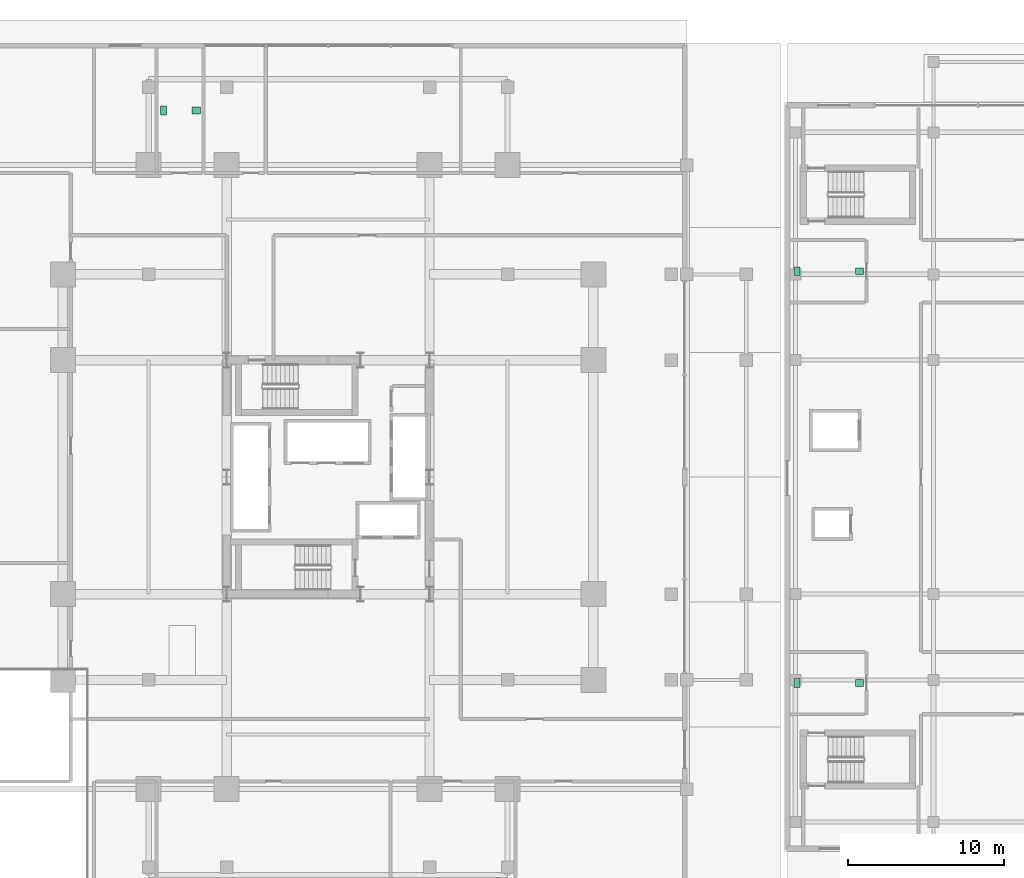
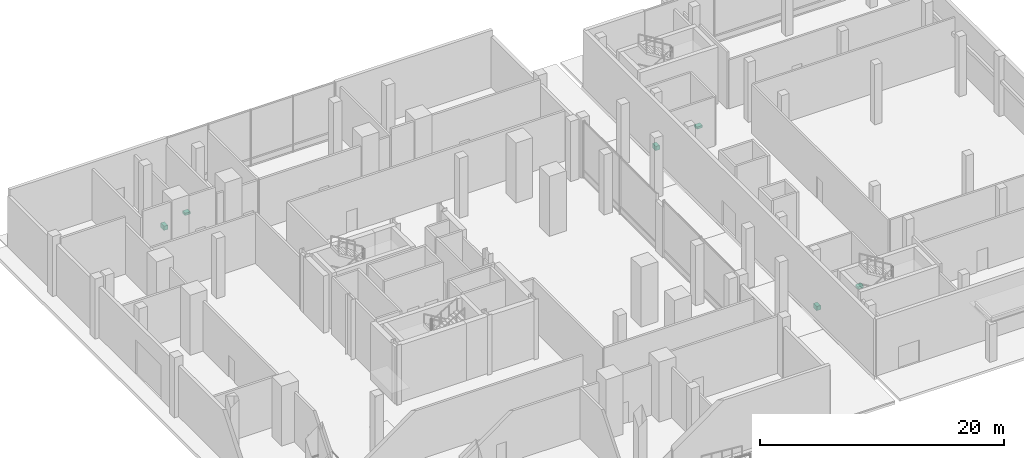
# One storey, part 34 of 34: 6 sanitary terminals.
"""IFC4 building model written with IfcOpenShell, lengths in metres."""

from ifc_helpers import new_model, si_unit, direction, frame, origin, origin_2d, place, context, subcontext, project, spatial, rectangle, extrude, material, type_object, element, save


model = new_model("IFC4")

# Units and contexts
model_context = context("Model", 3, precision=1e-05, world=origin(), true_north=direction((0.0, 1.0)))
body_context = subcontext(model_context, "Body", "Model", "MODEL_VIEW")
ifc_project = project(units=[si_unit("LENGTHUNIT", "METRE"), si_unit("AREAUNIT", "SQUARE_METRE"), si_unit("VOLUMEUNIT", "CUBIC_METRE"), si_unit("PLANEANGLEUNIT", "RADIAN"), si_unit("MASSUNIT", "GRAM", prefix="KILO")], contexts=[model_context])

# Site, building, storey
site_placement = place(None, origin())
site = spatial("IfcSite", under=ifc_project, at=site_placement, CompositionType="ELEMENT")
building_placement = place(site_placement, origin())
building = spatial("IfcBuilding", under=site, at=building_placement, Name="Barlavira Tower and Art Museum", CompositionType="ELEMENT")
storey_placement = place(building_placement, origin())
storey = spatial("IfcBuildingStorey", under=building, at=storey_placement, Name="L00", CompositionType="ELEMENT", Elevation=0.0)

# Sanitary terminals
ifc_material = material(Name="Vitreous glazed ceramic", Category="ceramic")
sanitary_terminal_type_1 = type_object("IfcSanitaryTerminalType", Name="Countertop Ceramic Wash Hand Basin", PredefinedType="WASHHANDBASIN", material=ifc_material)
for number, where, z_axis, x_axis, name in (
    (1, (-8.449951171875, 23.5, 0.740234375), (0.0, 0.0, 1.0), (1.0, 0.0, 0.0), "L00-POD-AWC Wash Basin"),
    (2, (34.050048828125, 13.199951171875, 0.740234375), (0.0, 0.0, 1.0), (1.0, 0.0, 0.0), "L00-MUS-WC1 Wash Basin"),
    (3, (34.050048828125, -13.199951171875, 0.740234375), (0.0, 0.0, 1.0), (1.0, 0.0, 0.0), "L00-MUS-AWC1 Wash Basin"),
):
    element("IfcSanitaryTerminal", number, at=place(storey_placement, frame(where, z_axis=z_axis, x_axis=x_axis)), inside=storey, type_object=sanitary_terminal_type_1, Name=name, PredefinedType="WASHHANDBASIN", context=body_context, shape_type="SweptSolid", body=[
        extrude(rectangle(XDim=0.52001953125, YDim=0.43994140625, at=origin_2d()), origin(), (0.0, 0.0, 1.0), 0.219970703125),
    ])
sanitary_terminal_type_2 = type_object("IfcSanitaryTerminalType", Name="Wall-Hung Dual-Flush Vitreous WC Pan", PredefinedType="TOILETPAN", material=ifc_material)
for number, where, z_axis, x_axis, name in (
    (4, (-10.550048828125, 23.5, 0.0), (0.0, 0.0, 1.0), (1.0, 0.0, 0.0), "L00-POD-AWC WC Pan"),
    (5, (30.050048828125, 13.199951171875, 0.0), (0.0, 0.0, 1.0), (1.0, 0.0, 0.0), "L00-MUS-WC1 WC Pan"),
    (6, (30.050048828125, -13.199951171875, 0.0), (0.0, 0.0, 1.0), (1.0, 0.0, 0.0), "L00-MUS-AWC1 WC Pan"),
):
    element("IfcSanitaryTerminal", number, at=place(storey_placement, frame(where, z_axis=z_axis, x_axis=x_axis)), inside=storey, type_object=sanitary_terminal_type_2, Name=name, PredefinedType="TOILETPAN", context=body_context, shape_type="SweptSolid", body=[
        extrude(rectangle(XDim=0.3798828125, YDim=0.56005859375, at=origin_2d()), origin(), (0.0, 0.0, 1.0), 0.419921875),
    ])

save(model, "model.ifc")
